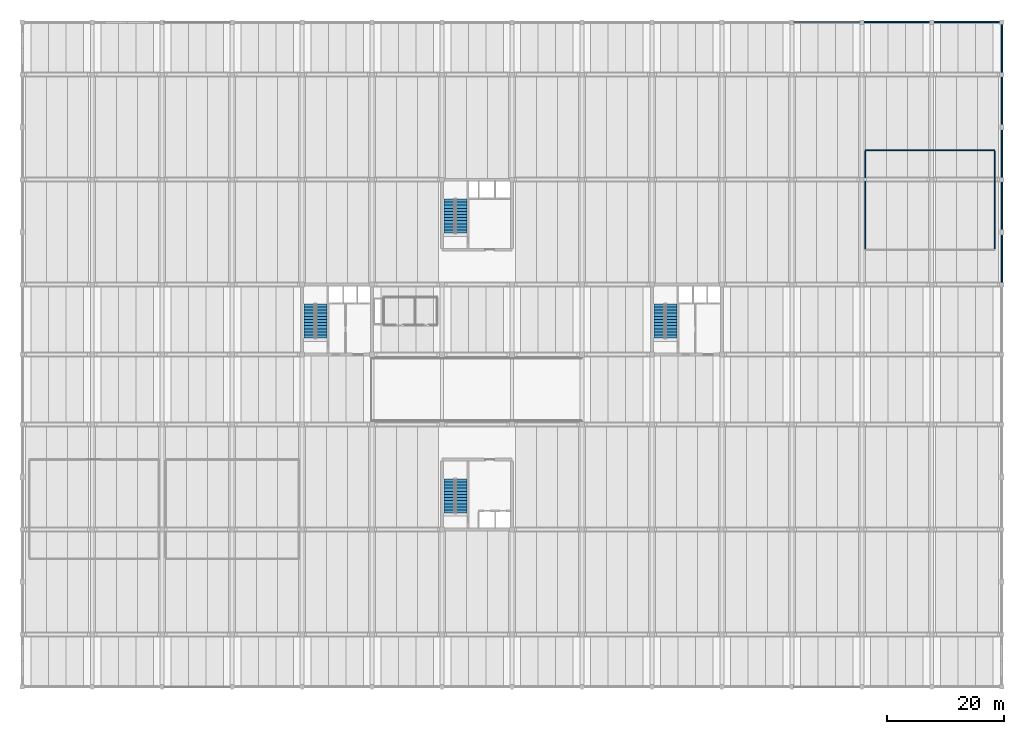
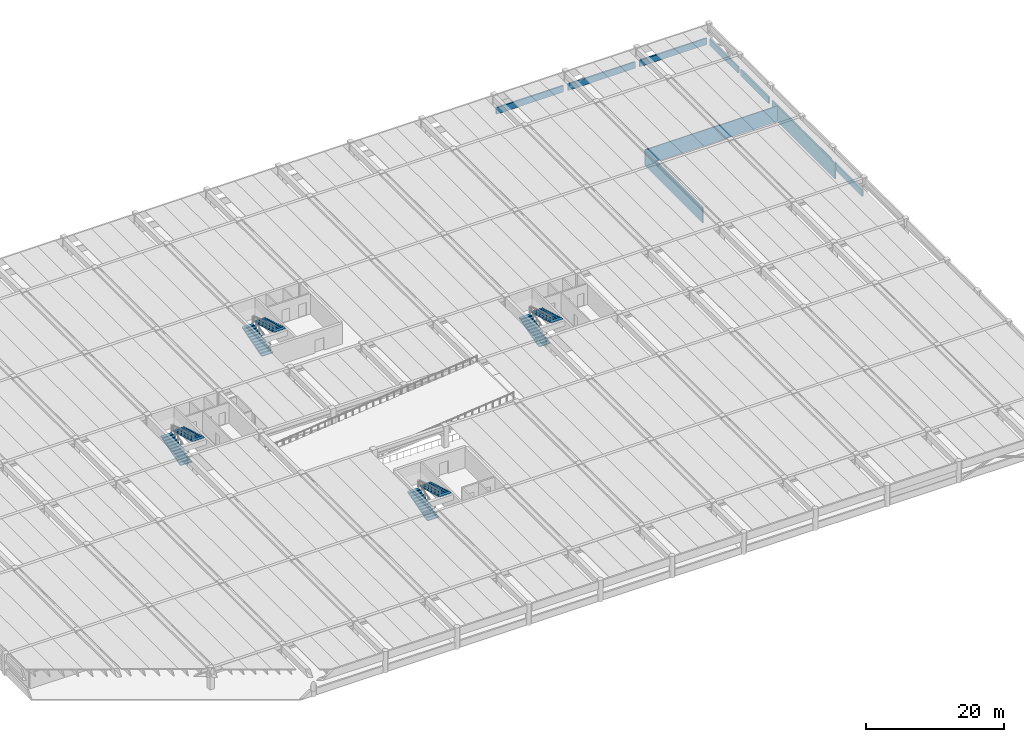
# One storey, part 14 of 21: 11 walls, 8 stair flights, 4 elements without a shape of their own.
"""IFC4 building model written with IfcOpenShell, lengths in metres."""

from ifc_helpers import new_model, si_unit, direction, frame, frame_2d, origin, place, context, subcontext, project, spatial, polyline, rectangle, outline, extrude, material, layer, layer_set, type_object, element, aggregate, save


model = new_model("IFC4")

# Units and contexts
model_context = context("Model", 3, precision=1e-05, world=origin(), true_north=direction((0.0, 1.0)))
body_context = subcontext(model_context, "Body", "Model", "MODEL_VIEW")
ifc_project = project(units=[si_unit("LENGTHUNIT", "METRE"), si_unit("AREAUNIT", "SQUARE_METRE"), si_unit("VOLUMEUNIT", "CUBIC_METRE"), si_unit("PLANEANGLEUNIT", "RADIAN"), si_unit("MASSUNIT", "GRAM", prefix="KILO")], contexts=[model_context])

# Site, building, storey
site_placement = place(None, origin())
site = spatial("IfcSite", under=ifc_project, at=site_placement, CompositionType="ELEMENT")
building_placement = place(site_placement, origin())
building = spatial("IfcBuilding", under=site, at=building_placement, Name="Girod Span Mobility Hub", CompositionType="ELEMENT")
storey_placement = place(building_placement, frame((0.0, 0.0, 17.199951171875)))
storey = spatial("IfcBuildingStorey", under=building, at=storey_placement, Name="L04", CompositionType="ELEMENT", Elevation=17.199951171875)

# Walls
ifc_material_1 = material(Name="Reinforced Concrete Masonry Block", Category="masonry")
ifc_layer_1 = layer(ifc_material_1, 0.179931640625)
ifc_layer_set_1 = layer_set([ifc_layer_1], Name="Reinforced Concrete Masonry Block")
wall_type_1 = type_object("IfcWallType", Name="W-FP-180", PredefinedType="SOLIDWALL", material=ifc_layer_set_1)
wall_1_placement = place(storey_placement, frame((144.60009765625, 92.0, 0.0), z_axis=(0.0, 0.0, 1.0), x_axis=(1.0, 0.0, 0.0)))
element("IfcWall", 1, at=wall_1_placement, inside=storey, type_object=wall_type_1, Name="Mechanical Plant Standby Generator Partition N", PredefinedType="SOLIDWALL", context=body_context, shape_type="SweptSolid", body=[
    extrude(rectangle(XDim=22.199951171875, YDim=0.179931640625, at=frame_2d((11.10009765625, 0.0))), origin(), (0.0, 0.0, 1.0), 2.75),
])
for number, where, z_axis, x_axis, name in (
    (2, (144.60009765625, 75.159912109375, 0.0), (0.0, 0.0, 1.0), (0.0, 1.0, 0.0), "Mechanical Plant Standby Generator Partition W"),
    (3, (166.800048828125, 75.159912109375, 0.0), (0.0, 0.0, 1.0), (0.0, 1.0, 0.0), "Mechanical Plant Standby Generator Partition E"),
):
    element("IfcWall", number, at=place(storey_placement, frame(where, z_axis=z_axis, x_axis=x_axis)), inside=storey, type_object=wall_type_1, Name=name, PredefinedType="SOLIDWALL", context=body_context, shape_type="SweptSolid", body=[
        extrude(rectangle(XDim=16.68017578125, YDim=0.179931640625, at=frame_2d((8.340087890625, 0.0))), origin(), (0.0, 0.0, 1.0), 2.75),
    ])
ifc_material_2 = material(Name="Precast Architectural Concrete C40/50", Category="concrete")
ifc_layer_2 = layer(ifc_material_2, 0.239990234375)
ifc_layer_set_2 = layer_set([ifc_layer_2], Name="Precast Architectural Concrete C40/50")
wall_type_2 = type_object("IfcWallType", Name="W-PAR-240", PredefinedType="PARAPET", material=ifc_layer_set_2)
for number, where, z_axis, x_axis, name in (
    (4, (132.373046875, 114.0, 0.0), (0.0, 0.0, 1.0), (1.0, 0.0, 0.0), "Precast Parking Barrier Parapet N-12 L04"),
    (5, (144.373046875, 114.0, 0.0), (0.0, 0.0, 1.0), (1.0, 0.0, 0.0), "Precast Parking Barrier Parapet N-13 L04"),
    (6, (156.373046875, 114.0, 0.0), (0.0, 0.0, 1.0), (1.0, 0.0, 0.0), "Precast Parking Barrier Parapet N-14 L04"),
):
    element("IfcWall", number, at=place(storey_placement, frame(where, z_axis=z_axis, x_axis=x_axis)), inside=storey, type_object=wall_type_2, Name=name, PredefinedType="PARAPET", context=body_context, shape_type="SweptSolid", body=[
        extrude(rectangle(XDim=11.25390625, YDim=0.239990234375, at=frame_2d((5.626953125, 0.0))), origin(), (0.0, 0.0, 1.0), 1.150146484375),
    ])
for number, where, z_axis, x_axis, name in (
    (7, (168.0, 69.373046875, 0.0), (0.0, 0.0, 1.0), (0.0, 1.0, 0.0), "Precast Side Barrier Parapet E-F-1 L04"),
    (8, (168.0, 78.472900390625, 0.0), (0.0, 0.0, 1.0), (0.0, 1.0, 0.0), "Precast Side Barrier Parapet E-F-2 L04"),
    (9, (168.0, 87.373046875, 0.0), (0.0, 0.0, 1.0), (0.0, 1.0, 0.0), "Precast Side Barrier Parapet E-G-1 L04"),
    (10, (168.0, 96.472900390625, 0.0), (0.0, 0.0, 1.0), (0.0, 1.0, 0.0), "Precast Side Barrier Parapet E-G-2 L04"),
):
    element("IfcWall", number, at=place(storey_placement, frame(where, z_axis=z_axis, x_axis=x_axis)), inside=storey, type_object=wall_type_2, Name=name, PredefinedType="PARAPET", context=body_context, shape_type="SweptSolid", body=[
        extrude(rectangle(XDim=8.154052734375, YDim=0.239990234375, at=frame_2d((4.0771484375, 0.0))), origin(), (0.0, 0.0, 1.0), 1.150146484375),
    ])
wall_2_placement = place(storey_placement, frame((168.0, 105.373046875, 0.0), z_axis=(0.0, 0.0, 1.0), x_axis=(0.0, 1.0, 0.0)))
element("IfcWall", 11, at=wall_2_placement, inside=storey, type_object=wall_type_2, Name="Precast Side Barrier Parapet E-H-1 L04", PredefinedType="PARAPET", context=body_context, shape_type="SweptSolid", body=[
    extrude(rectangle(XDim=8.25390625, YDim=0.239990234375, at=frame_2d((4.126953125, 0.0))), origin(), (0.0, 0.0, 1.0), 1.150146484375),
])

# Stair, stair flights
ifc_material_3 = material(Name="Concrete C40/50", Category="concrete")
stair_type = type_object("IfcStairType", Name="STR-3800-W1860", PredefinedType="HALF_TURN_STAIR", material=ifc_material_3)
stair_1_placement = place(storey_placement, origin())
stair_1 = element("IfcStair", 12, at=stair_1_placement, inside=storey, type_object=stair_type, Name="Exit Stair ST-1 L04", PredefinedType="HALF_TURN_STAIR")
ifc_material_4 = material(Name="Concrete C40/50", Category="concrete")
stair_flight_type = type_object("IfcStairFlightType", Name="STF-1900-W1860", PredefinedType="STRAIGHT", material=ifc_material_4)
stair_flight_1_placement = place(storey_placement, frame((49.25, 59.81005859375, 0.0), z_axis=(0.0, 0.0, 1.0), x_axis=(0.0, 1.0, 0.0)))
stair_flight_1 = element("IfcStairFlight", 13, at=stair_flight_1_placement, type_object=stair_flight_type, Name="Stair ST-1 Flight 1 L04", NumberOfRisers=12, NumberOfTreads=11, PredefinedType="STRAIGHT", RiserHeight=0.15833, TreadLength=0.53455, context=body_context, shape_type="SweptSolid", body=[
    extrude(outline(polyline([(0.0, 0.0), (0.0, 0.158447265625), (0.53466796875, 0.158447265625), (0.53466796875, 0.316650390625), (1.069091796875, 0.316650390625), (1.069091796875, 0.47509765625), (1.603759765625, 0.47509765625), (1.603759765625, 0.63330078125), (2.13818359375, 0.63330078125), (2.13818359375, 0.791748046875), (2.6728515625, 0.791748046875), (2.6728515625, 0.949951171875), (3.207275390625, 0.949951171875), (3.207275390625, 1.1083984375), (3.741943359375, 1.1083984375), (3.741943359375, 1.2666015625), (4.2763671875, 1.2666015625), (4.2763671875, 1.425048828125), (4.81103515625, 1.425048828125), (4.81103515625, 1.583251953125), (5.345458984375, 1.583251953125), (5.345458984375, 1.74169921875), (5.880126953125, 1.74169921875), (5.880126953125, 1.89990234375), (5.880126953125, 1.54345703125), (0.668701171875, 0.0), (0.0, 0.0)])), frame((0.0, 0.93017578125, 0.0), z_axis=(0.0, -1.0, 0.0), x_axis=(1.0, 0.0, 0.0)), (0.0, 0.0, 1.0), 1.860107421875),
])
stair_flight_2_placement = place(storey_placement, frame((51.35009765625, 65.68994140625, 1.900146484375), z_axis=(0.0, 0.0, 1.0), x_axis=(0.0, -1.0, 0.0)))
stair_flight_2 = element("IfcStairFlight", 14, at=stair_flight_2_placement, type_object=stair_flight_type, Name="Stair ST-1 Flight 2 L04", NumberOfRisers=12, NumberOfTreads=11, PredefinedType="STRAIGHT", RiserHeight=0.15833, TreadLength=0.53455, context=body_context, shape_type="SweptSolid", body=[
    extrude(outline(polyline([(0.0, 0.0), (0.0, 0.158447265625), (0.53466796875, 0.158447265625), (0.53466796875, 0.316650390625), (1.069091796875, 0.316650390625), (1.069091796875, 0.47509765625), (1.603759765625, 0.47509765625), (1.603759765625, 0.63330078125), (2.13818359375, 0.63330078125), (2.13818359375, 0.791748046875), (2.6728515625, 0.791748046875), (2.6728515625, 0.949951171875), (3.207275390625, 0.949951171875), (3.207275390625, 1.1083984375), (3.741943359375, 1.1083984375), (3.741943359375, 1.2666015625), (4.2763671875, 1.2666015625), (4.2763671875, 1.425048828125), (4.81103515625, 1.425048828125), (4.81103515625, 1.583251953125), (5.345458984375, 1.583251953125), (5.345458984375, 1.74169921875), (5.880126953125, 1.74169921875), (5.880126953125, 1.89990234375), (5.880126953125, 1.54345703125), (0.668701171875, 0.0), (0.0, 0.0)])), frame((0.0, 0.93017578125, 0.0), z_axis=(0.0, -1.0, 0.0), x_axis=(1.0, 0.0, 0.0)), (0.0, 0.0, 1.0), 1.860107421875),
])
aggregate(stair_1, [stair_flight_1, stair_flight_2])

stair_2_placement = place(storey_placement, origin())
stair_2 = element("IfcStair", 15, at=stair_2_placement, inside=storey, type_object=stair_type, Name="Exit Stair ST-2 L04", PredefinedType="HALF_TURN_STAIR")
stair_flight_3_placement = place(storey_placement, frame((109.25, 59.81005859375, 0.0), z_axis=(0.0, 0.0, 1.0), x_axis=(0.0, 1.0, 0.0)))
stair_flight_3 = element("IfcStairFlight", 16, at=stair_flight_3_placement, type_object=stair_flight_type, Name="Stair ST-2 Flight 1 L04", NumberOfRisers=12, NumberOfTreads=11, PredefinedType="STRAIGHT", RiserHeight=0.15833, TreadLength=0.53455, context=body_context, shape_type="SweptSolid", body=[
    extrude(outline(polyline([(0.0, 0.0), (0.0, 0.158447265625), (0.53466796875, 0.158447265625), (0.53466796875, 0.316650390625), (1.069091796875, 0.316650390625), (1.069091796875, 0.47509765625), (1.603759765625, 0.47509765625), (1.603759765625, 0.63330078125), (2.13818359375, 0.63330078125), (2.13818359375, 0.791748046875), (2.6728515625, 0.791748046875), (2.6728515625, 0.949951171875), (3.207275390625, 0.949951171875), (3.207275390625, 1.1083984375), (3.741943359375, 1.1083984375), (3.741943359375, 1.2666015625), (4.2763671875, 1.2666015625), (4.2763671875, 1.425048828125), (4.81103515625, 1.425048828125), (4.81103515625, 1.583251953125), (5.345458984375, 1.583251953125), (5.345458984375, 1.74169921875), (5.880126953125, 1.74169921875), (5.880126953125, 1.89990234375), (5.880126953125, 1.54345703125), (0.668701171875, 0.0), (0.0, 0.0)])), frame((0.0, 0.93017578125, 0.0), z_axis=(0.0, -1.0, 0.0), x_axis=(1.0, 0.0, 0.0)), (0.0, 0.0, 1.0), 1.860107421875),
])
stair_flight_4_placement = place(storey_placement, frame((111.35009765625, 65.68994140625, 1.900146484375), z_axis=(0.0, 0.0, 1.0), x_axis=(0.0, -1.0, 0.0)))
stair_flight_4 = element("IfcStairFlight", 17, at=stair_flight_4_placement, type_object=stair_flight_type, Name="Stair ST-2 Flight 2 L04", NumberOfRisers=12, NumberOfTreads=11, PredefinedType="STRAIGHT", RiserHeight=0.15833, TreadLength=0.53455, context=body_context, shape_type="SweptSolid", body=[
    extrude(outline(polyline([(0.0, 0.0), (0.0, 0.158447265625), (0.53466796875, 0.158447265625), (0.53466796875, 0.316650390625), (1.069091796875, 0.316650390625), (1.069091796875, 0.47509765625), (1.603759765625, 0.47509765625), (1.603759765625, 0.63330078125), (2.13818359375, 0.63330078125), (2.13818359375, 0.791748046875), (2.6728515625, 0.791748046875), (2.6728515625, 0.949951171875), (3.207275390625, 0.949951171875), (3.207275390625, 1.1083984375), (3.741943359375, 1.1083984375), (3.741943359375, 1.2666015625), (4.2763671875, 1.2666015625), (4.2763671875, 1.425048828125), (4.81103515625, 1.425048828125), (4.81103515625, 1.583251953125), (5.345458984375, 1.583251953125), (5.345458984375, 1.74169921875), (5.880126953125, 1.74169921875), (5.880126953125, 1.89990234375), (5.880126953125, 1.54345703125), (0.668701171875, 0.0), (0.0, 0.0)])), frame((0.0, 0.93017578125, 0.0), z_axis=(0.0, -1.0, 0.0), x_axis=(1.0, 0.0, 0.0)), (0.0, 0.0, 1.0), 1.860107421875),
])
aggregate(stair_2, [stair_flight_3, stair_flight_4])

stair_3_placement = place(storey_placement, origin())
stair_3 = element("IfcStair", 18, at=stair_3_placement, inside=storey, type_object=stair_type, Name="Exit Stair ST-3 L04", PredefinedType="HALF_TURN_STAIR")
stair_flight_5_placement = place(storey_placement, frame((73.25, 29.81005859375, 0.0), z_axis=(0.0, 0.0, 1.0), x_axis=(0.0, 1.0, 0.0)))
stair_flight_5 = element("IfcStairFlight", 19, at=stair_flight_5_placement, type_object=stair_flight_type, Name="Stair ST-3 Flight 1 L04", NumberOfRisers=12, NumberOfTreads=11, PredefinedType="STRAIGHT", RiserHeight=0.15833, TreadLength=0.53455, context=body_context, shape_type="SweptSolid", body=[
    extrude(outline(polyline([(0.0, 0.0), (0.0, 0.158447265625), (0.53466796875, 0.158447265625), (0.53466796875, 0.316650390625), (1.069091796875, 0.316650390625), (1.069091796875, 0.47509765625), (1.603759765625, 0.47509765625), (1.603759765625, 0.63330078125), (2.13818359375, 0.63330078125), (2.13818359375, 0.791748046875), (2.6728515625, 0.791748046875), (2.6728515625, 0.949951171875), (3.207275390625, 0.949951171875), (3.207275390625, 1.1083984375), (3.741943359375, 1.1083984375), (3.741943359375, 1.2666015625), (4.2763671875, 1.2666015625), (4.2763671875, 1.425048828125), (4.81103515625, 1.425048828125), (4.81103515625, 1.583251953125), (5.345458984375, 1.583251953125), (5.345458984375, 1.74169921875), (5.880126953125, 1.74169921875), (5.880126953125, 1.89990234375), (5.880126953125, 1.54345703125), (0.668701171875, 0.0), (0.0, 0.0)])), frame((0.0, 0.93017578125, 0.0), z_axis=(0.0, -1.0, 0.0), x_axis=(1.0, 0.0, 0.0)), (0.0, 0.0, 1.0), 1.860107421875),
])
stair_flight_6_placement = place(storey_placement, frame((75.35009765625, 35.68994140625, 1.900146484375), z_axis=(0.0, 0.0, 1.0), x_axis=(0.0, -1.0, 0.0)))
stair_flight_6 = element("IfcStairFlight", 20, at=stair_flight_6_placement, type_object=stair_flight_type, Name="Stair ST-3 Flight 2 L04", NumberOfRisers=12, NumberOfTreads=11, PredefinedType="STRAIGHT", RiserHeight=0.15833, TreadLength=0.53455, context=body_context, shape_type="SweptSolid", body=[
    extrude(outline(polyline([(0.0, 0.0), (0.0, 0.158447265625), (0.53466796875, 0.158447265625), (0.53466796875, 0.316650390625), (1.069091796875, 0.316650390625), (1.069091796875, 0.47509765625), (1.603759765625, 0.47509765625), (1.603759765625, 0.63330078125), (2.13818359375, 0.63330078125), (2.13818359375, 0.791748046875), (2.6728515625, 0.791748046875), (2.6728515625, 0.949951171875), (3.207275390625, 0.949951171875), (3.207275390625, 1.1083984375), (3.741943359375, 1.1083984375), (3.741943359375, 1.2666015625), (4.2763671875, 1.2666015625), (4.2763671875, 1.425048828125), (4.81103515625, 1.425048828125), (4.81103515625, 1.583251953125), (5.345458984375, 1.583251953125), (5.345458984375, 1.74169921875), (5.880126953125, 1.74169921875), (5.880126953125, 1.89990234375), (5.880126953125, 1.54345703125), (0.668701171875, 0.0), (0.0, 0.0)])), frame((0.0, 0.93017578125, 0.0), z_axis=(0.0, -1.0, 0.0), x_axis=(1.0, 0.0, 0.0)), (0.0, 0.0, 1.0), 1.860107421875),
])
aggregate(stair_3, [stair_flight_5, stair_flight_6])

stair_4_placement = place(storey_placement, origin())
stair_4 = element("IfcStair", 21, at=stair_4_placement, inside=storey, type_object=stair_type, Name="Exit Stair ST-4 L04", PredefinedType="HALF_TURN_STAIR")
stair_flight_7_placement = place(storey_placement, frame((73.25, 77.81005859375, 0.0), z_axis=(0.0, 0.0, 1.0), x_axis=(0.0, 1.0, 0.0)))
stair_flight_7 = element("IfcStairFlight", 22, at=stair_flight_7_placement, type_object=stair_flight_type, Name="Stair ST-4 Flight 1 L04", NumberOfRisers=12, NumberOfTreads=11, PredefinedType="STRAIGHT", RiserHeight=0.15833, TreadLength=0.53455, context=body_context, shape_type="SweptSolid", body=[
    extrude(outline(polyline([(0.0, 0.0), (0.0, 0.158447265625), (0.53466796875, 0.158447265625), (0.53466796875, 0.316650390625), (1.069091796875, 0.316650390625), (1.069091796875, 0.47509765625), (1.603759765625, 0.47509765625), (1.603759765625, 0.63330078125), (2.13818359375, 0.63330078125), (2.13818359375, 0.791748046875), (2.6728515625, 0.791748046875), (2.6728515625, 0.949951171875), (3.207275390625, 0.949951171875), (3.207275390625, 1.1083984375), (3.741943359375, 1.1083984375), (3.741943359375, 1.2666015625), (4.2763671875, 1.2666015625), (4.2763671875, 1.425048828125), (4.81103515625, 1.425048828125), (4.81103515625, 1.583251953125), (5.345458984375, 1.583251953125), (5.345458984375, 1.74169921875), (5.880126953125, 1.74169921875), (5.880126953125, 1.89990234375), (5.880126953125, 1.54345703125), (0.668701171875, 0.0), (0.0, 0.0)])), frame((0.0, 0.93017578125, 0.0), z_axis=(0.0, -1.0, 0.0), x_axis=(1.0, 0.0, 0.0)), (0.0, 0.0, 1.0), 1.860107421875),
])
stair_flight_8_placement = place(storey_placement, frame((75.35009765625, 83.68994140625, 1.900146484375), z_axis=(0.0, 0.0, 1.0), x_axis=(0.0, -1.0, 0.0)))
stair_flight_8 = element("IfcStairFlight", 23, at=stair_flight_8_placement, type_object=stair_flight_type, Name="Stair ST-4 Flight 2 L04", NumberOfRisers=12, NumberOfTreads=11, PredefinedType="STRAIGHT", RiserHeight=0.15833, TreadLength=0.53455, context=body_context, shape_type="SweptSolid", body=[
    extrude(outline(polyline([(0.0, 0.0), (0.0, 0.158447265625), (0.53466796875, 0.158447265625), (0.53466796875, 0.316650390625), (1.069091796875, 0.316650390625), (1.069091796875, 0.47509765625), (1.603759765625, 0.47509765625), (1.603759765625, 0.63330078125), (2.13818359375, 0.63330078125), (2.13818359375, 0.791748046875), (2.6728515625, 0.791748046875), (2.6728515625, 0.949951171875), (3.207275390625, 0.949951171875), (3.207275390625, 1.1083984375), (3.741943359375, 1.1083984375), (3.741943359375, 1.2666015625), (4.2763671875, 1.2666015625), (4.2763671875, 1.425048828125), (4.81103515625, 1.425048828125), (4.81103515625, 1.583251953125), (5.345458984375, 1.583251953125), (5.345458984375, 1.74169921875), (5.880126953125, 1.74169921875), (5.880126953125, 1.89990234375), (5.880126953125, 1.54345703125), (0.668701171875, 0.0), (0.0, 0.0)])), frame((0.0, 0.93017578125, 0.0), z_axis=(0.0, -1.0, 0.0), x_axis=(1.0, 0.0, 0.0)), (0.0, 0.0, 1.0), 1.860107421875),
])
aggregate(stair_4, [stair_flight_7, stair_flight_8])

save(model, "model.ifc")
